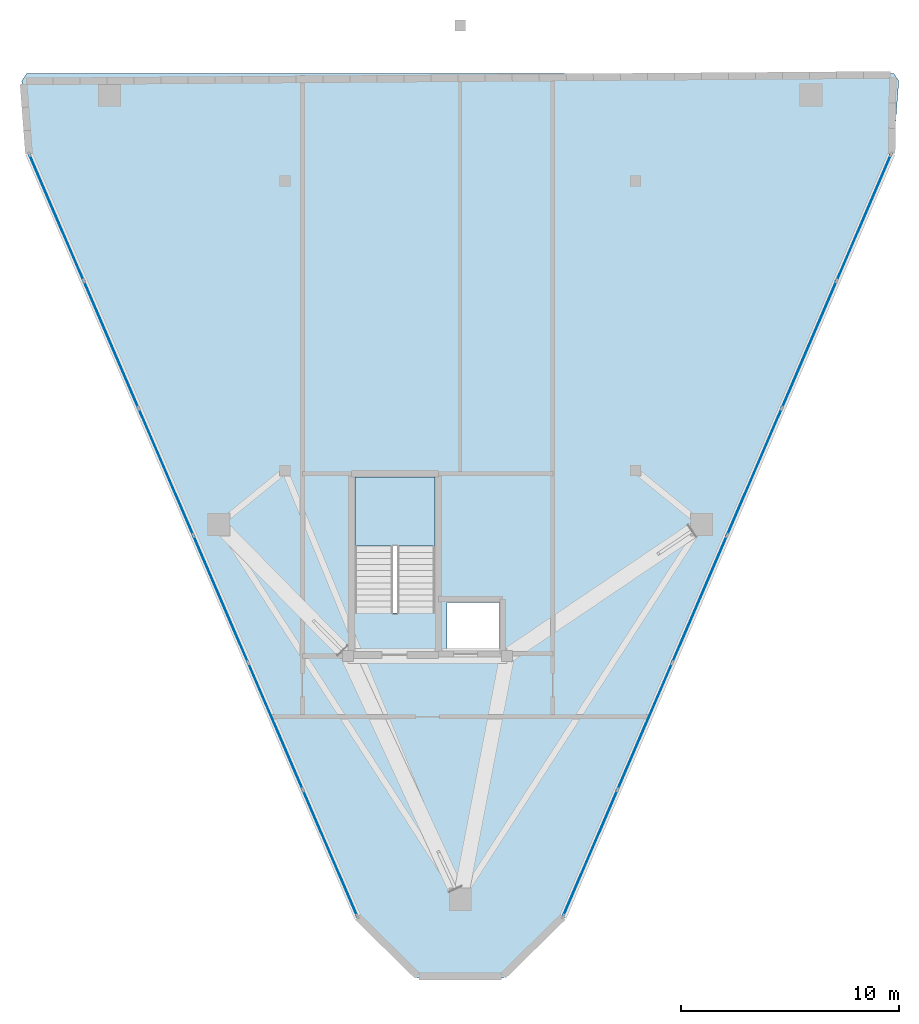
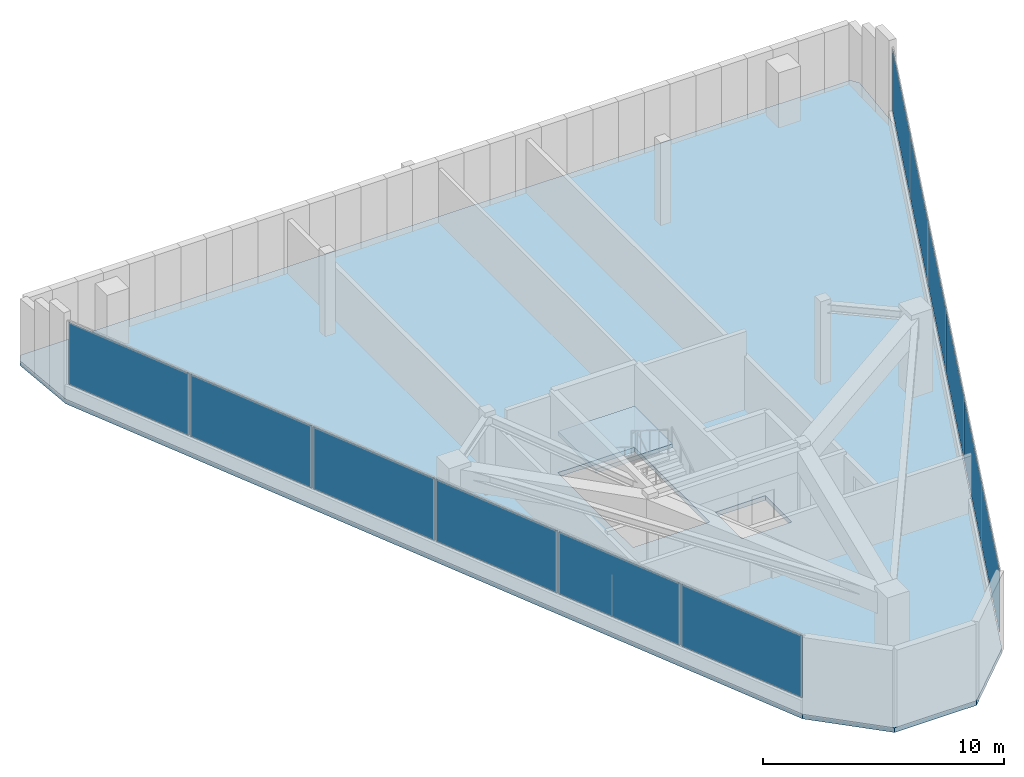
# One storey, part 4 of 7: 12 plates, 2 slabs, 3 elements without a shape of their own.
"""IFC4 building model written with IfcOpenShell, lengths in metres."""

from ifc_helpers import new_model, si_unit, direction, frame, origin, origin_2d, place, context, subcontext, project, spatial, polyline, rectangle, outline, extrude, material, layer, layer_set, type_object, element, aggregate, save


model = new_model("IFC4")

# Units and contexts
model_context = context("Model", 3, precision=1e-05, world=origin(), true_north=direction((0.0, 1.0)))
body_context = subcontext(model_context, "Body", "Model", "MODEL_VIEW")
ifc_project = project(units=[si_unit("LENGTHUNIT", "METRE"), si_unit("AREAUNIT", "SQUARE_METRE"), si_unit("VOLUMEUNIT", "CUBIC_METRE"), si_unit("PLANEANGLEUNIT", "RADIAN"), si_unit("MASSUNIT", "GRAM", prefix="KILO")], contexts=[model_context])

# Site, building, storey
site_placement = place(None, origin())
site = spatial("IfcSite", under=ifc_project, at=site_placement, CompositionType="ELEMENT")
building_placement = place(site_placement, origin())
building = spatial("IfcBuilding", under=site, at=building_placement, Name="Talyreon Biosciences Tower", CompositionType="ELEMENT")
storey_placement = place(building_placement, frame((0.0, 0.0, 321.39990234375)))
storey = spatial("IfcBuildingStorey", under=building, at=storey_placement, Name="L85", CompositionType="ELEMENT", Elevation=321.39990234375)

# Curtain wall, plates
ifc_material_1 = material(Name="Thermally broken aluminium and low-E glazing", Category="aluminium")
ifc_layer_1 = layer(ifc_material_1, 0.2099609375)
ifc_layer_set_1 = layer_set([ifc_layer_1], Name="Thermally broken aluminium and low-E glazing")
curtain_wall_type = type_object("IfcCurtainWallType", Name="CurtainWall_SlantedCrown", PredefinedType="NOTDEFINED", material=ifc_layer_set_1)
curtain_wall_1_placement = place(storey_placement, origin())
curtain_wall_1 = element("IfcCurtainWall", 1, at=curtain_wall_1_placement, inside=storey, type_object=curtain_wall_type, Name="L85 Unitised Curtain Wall FCW-L85-03C", PredefinedType="NOTDEFINED")
ifc_material_2 = material(Name="Acoustic laminated low-E insulated glazing", Category="glass")
ifc_layer_2 = layer(ifc_material_2, 0.0380859375)
ifc_layer_set_2 = layer_set([ifc_layer_2], Name="Acoustic laminated low-E insulated glazing")
plate_type = type_object("IfcPlateType", Name="CWGlazingPanel_38", PredefinedType="CURTAIN_PANEL", material=ifc_layer_set_2)
plate_1_placement = place(storey_placement, frame((84.53271484375, 72.96435546875, 0.775146484375), z_axis=(0.0, 0.0, 1.0), x_axis=(-0.395450642447, -0.918487228756, 0.0)))
plate_1 = element("IfcPlate", 2, at=plate_1_placement, type_object=plate_type, Name="CW8 panel 1.1", PredefinedType="CURTAIN_PANEL", context=body_context, shape_type="SweptSolid", body=[
    extrude(rectangle(XDim=6.246826171875, YDim=0.0380859375, at=origin_2d()), origin(), (0.0, 0.0, 1.0), 3.125),
])
plate_2_placement = place(storey_placement, frame((82.025146484375, 67.140625, 0.775146484375), z_axis=(0.0, 0.0, 1.0), x_axis=(-0.395450642447, -0.918487228756, 0.0)))
plate_2 = element("IfcPlate", 3, at=plate_2_placement, type_object=plate_type, Name="CW8 panel 2.1", PredefinedType="CURTAIN_PANEL", context=body_context, shape_type="SweptSolid", body=[
    extrude(rectangle(XDim=6.2841796875, YDim=0.0380859375, at=origin_2d()), origin(), (0.0, 0.0, 1.0), 3.125),
])
plate_3_placement = place(storey_placement, frame((79.510498046875, 61.2998046875, 0.775146484375), z_axis=(0.0, 0.0, 1.0), x_axis=(-0.395450642447, -0.918487228756, 0.0)))
plate_3 = element("IfcPlate", 4, at=plate_3_placement, type_object=plate_type, Name="CW8 panel 3.1", PredefinedType="CURTAIN_PANEL", context=body_context, shape_type="SweptSolid", body=[
    extrude(rectangle(XDim=6.2841796875, YDim=0.0380859375, at=origin_2d()), origin(), (0.0, 0.0, 1.0), 3.125),
])
plate_4_placement = place(storey_placement, frame((76.99560546875, 55.458740234375, 0.775146484375), z_axis=(0.0, 0.0, 1.0), x_axis=(-0.395450642447, -0.918487228756, 0.0)))
plate_4 = element("IfcPlate", 5, at=plate_4_placement, type_object=plate_type, Name="CW8 panel 4.1", PredefinedType="CURTAIN_PANEL", context=body_context, shape_type="SweptSolid", body=[
    extrude(rectangle(XDim=6.2841796875, YDim=0.0380859375, at=origin_2d()), origin(), (0.0, 0.0, 1.0), 3.125),
])
plate_5_placement = place(storey_placement, frame((74.48095703125, 49.617919921875, 0.775146484375), z_axis=(0.0, 0.0, 1.0), x_axis=(-0.395450642447, -0.918487228756, 0.0)))
plate_5 = element("IfcPlate", 6, at=plate_5_placement, type_object=plate_type, Name="CW8 panel 5.1", PredefinedType="CURTAIN_PANEL", context=body_context, shape_type="SweptSolid", body=[
    extrude(rectangle(XDim=6.2841796875, YDim=0.0380859375, at=origin_2d()), origin(), (0.0, 0.0, 1.0), 3.125),
])
plate_6_placement = place(storey_placement, frame((71.9736328125, 43.794189453125, 0.775146484375), z_axis=(0.0, 0.0, 1.0), x_axis=(-0.395450642447, -0.918487228756, 0.0)))
plate_6 = element("IfcPlate", 7, at=plate_6_placement, type_object=plate_type, Name="CW8 panel 6.1", PredefinedType="CURTAIN_PANEL", context=body_context, shape_type="SweptSolid", body=[
    extrude(rectangle(XDim=6.246826171875, YDim=0.0380859375, at=origin_2d()), origin(), (0.0, 0.0, 1.0), 3.125),
])
aggregate(curtain_wall_1, [plate_1, plate_2, plate_3, plate_4, plate_5, plate_6])

curtain_wall_2_placement = place(storey_placement, origin())
curtain_wall_2 = element("IfcCurtainWall", 8, at=curtain_wall_2_placement, inside=storey, type_object=curtain_wall_type, Name="L85 Unitised Curtain Wall FCW-L85-07C", PredefinedType="NOTDEFINED")
plate_7_placement = place(storey_placement, frame((60.0263671875, 43.794189453125, 0.775146484375), z_axis=(0.0, 0.0, 1.0), x_axis=(-0.395450642447, 0.918487228756, 0.0)))
plate_7 = element("IfcPlate", 9, at=plate_7_placement, type_object=plate_type, Name="CW8 panel 1.1", PredefinedType="CURTAIN_PANEL", context=body_context, shape_type="SweptSolid", body=[
    extrude(rectangle(XDim=6.246826171875, YDim=0.0380859375, at=origin_2d()), origin(), (0.0, 0.0, 1.0), 3.125),
])
plate_8_placement = place(storey_placement, frame((57.51904296875, 49.617919921875, 0.775146484375), z_axis=(0.0, 0.0, 1.0), x_axis=(-0.395450642447, 0.918487228756, 0.0)))
plate_8 = element("IfcPlate", 10, at=plate_8_placement, type_object=plate_type, Name="CW8 panel 2.1", PredefinedType="CURTAIN_PANEL", context=body_context, shape_type="SweptSolid", body=[
    extrude(rectangle(XDim=6.2841796875, YDim=0.0380859375, at=origin_2d()), origin(), (0.0, 0.0, 1.0), 3.125),
])
plate_9_placement = place(storey_placement, frame((55.00439453125, 55.458740234375, 0.775146484375), z_axis=(0.0, 0.0, 1.0), x_axis=(-0.395450642447, 0.918487228756, 0.0)))
plate_9 = element("IfcPlate", 11, at=plate_9_placement, type_object=plate_type, Name="CW8 panel 3.1", PredefinedType="CURTAIN_PANEL", context=body_context, shape_type="SweptSolid", body=[
    extrude(rectangle(XDim=6.2841796875, YDim=0.0380859375, at=origin_2d()), origin(), (0.0, 0.0, 1.0), 3.125),
])
plate_10_placement = place(storey_placement, frame((52.489501953125, 61.2998046875, 0.775146484375), z_axis=(0.0, 0.0, 1.0), x_axis=(-0.395450642447, 0.918487228756, 0.0)))
plate_10 = element("IfcPlate", 12, at=plate_10_placement, type_object=plate_type, Name="CW8 panel 4.1", PredefinedType="CURTAIN_PANEL", context=body_context, shape_type="SweptSolid", body=[
    extrude(rectangle(XDim=6.2841796875, YDim=0.0380859375, at=origin_2d()), origin(), (0.0, 0.0, 1.0), 3.125),
])
plate_11_placement = place(storey_placement, frame((49.974853515625, 67.140625, 0.775146484375), z_axis=(0.0, 0.0, 1.0), x_axis=(-0.395450642447, 0.918487228756, 0.0)))
plate_11 = element("IfcPlate", 13, at=plate_11_placement, type_object=plate_type, Name="CW8 panel 5.1", PredefinedType="CURTAIN_PANEL", context=body_context, shape_type="SweptSolid", body=[
    extrude(rectangle(XDim=6.2841796875, YDim=0.0380859375, at=origin_2d()), origin(), (0.0, 0.0, 1.0), 3.125),
])
plate_12_placement = place(storey_placement, frame((47.46728515625, 72.96435546875, 0.775146484375), z_axis=(0.0, 0.0, 1.0), x_axis=(-0.395450642447, 0.918487228756, 0.0)))
plate_12 = element("IfcPlate", 14, at=plate_12_placement, type_object=plate_type, Name="CW8 panel 6.1", PredefinedType="CURTAIN_PANEL", context=body_context, shape_type="SweptSolid", body=[
    extrude(rectangle(XDim=6.246826171875, YDim=0.0380859375, at=origin_2d()), origin(), (0.0, 0.0, 1.0), 3.125),
])
aggregate(curtain_wall_2, [plate_7, plate_8, plate_9, plate_10, plate_11, plate_12])

# Slab
ifc_material_3 = material(Name="Concrete C40/50", Category="concrete")
ifc_layer_3 = layer(ifc_material_3, 0.235107421875)
ifc_layer_set_3 = layer_set([ifc_layer_3], Name="Concrete C40/50")
slab_type_1 = type_object("IfcSlabType", Name="CrownPlantSlab_235", PredefinedType="FLOOR", material=ifc_layer_set_3)
slab_1_placement = place(storey_placement, frame((0.0, 0.0, -0.23486328125)))
element("IfcSlab", 15, at=slab_1_placement, inside=storey, type_object=slab_type_1, Name="L85 Structural Floor Slab", PredefinedType="FLOOR", context=body_context, shape_type="SweptSolid", body=[
    extrude(outline(polyline([(46.123779296875, 75.882568359375), (45.864990234375, 79.23828125), (46.097900390625, 79.59228515625), (85.902099609375, 79.59228515625), (86.135009765625, 79.23828125), (85.876220703125, 75.882568359375), (70.776123046875, 40.810546875), (67.9677734375, 38.053466796875), (64.0322265625, 38.053466796875), (61.223876953125, 40.810546875), (46.123779296875, 75.882568359375)]), holes=[polyline([(65.39990234375, 53.10009765625), (65.39990234375, 55.300048828125), (67.800048828125, 55.300048828125), (67.800048828125, 53.10009765625), (65.39990234375, 53.10009765625)]), polyline([(61.159912109375, 54.80810546875), (61.159912109375, 61.050048828125), (64.840087890625, 61.050048828125), (64.840087890625, 54.80810546875), (61.159912109375, 54.80810546875)])]), origin(), (0.0, 0.0, 1.0), 0.23486328125),
])

# Stair, slab
stair_type = type_object("IfcStairType", Name="DoglegEscapeStair_4200", PredefinedType="HALF_TURN_STAIR", material=ifc_material_3)
stair_placement = place(storey_placement, origin())
stair = element("IfcStair", 16, at=stair_placement, inside=storey, type_object=stair_type, Name="L85 Crown Internal Escape Stair 4", PredefinedType="HALF_TURN_STAIR")
ifc_layer_4 = layer(ifc_material_3, 0.199951171875)
ifc_layer_set_4 = layer_set([ifc_layer_4], Name="Concrete C40/50")
slab_type_2 = type_object("IfcSlabType", Name="StairLandingSlab_200", PredefinedType="LANDING", material=ifc_layer_set_4)
slab_2_placement = place(storey_placement, frame((0.0, 0.0, 1.900146484375)))
slab_2 = element("IfcSlab", 17, at=slab_2_placement, type_object=slab_type_2, Name="ST-4 landing 1", PredefinedType="LANDING", context=body_context, shape_type="SweptSolid", body=[
    extrude(outline(polyline([(64.840087890625, 57.8798828125), (64.840087890625, 61.050048828125), (61.159912109375, 61.050048828125), (61.159912109375, 57.8798828125), (64.840087890625, 57.8798828125)])), origin(), (0.0, 0.0, 1.0), 0.199951171875),
])
aggregate(stair, [slab_2])

save(model, "model.ifc")
